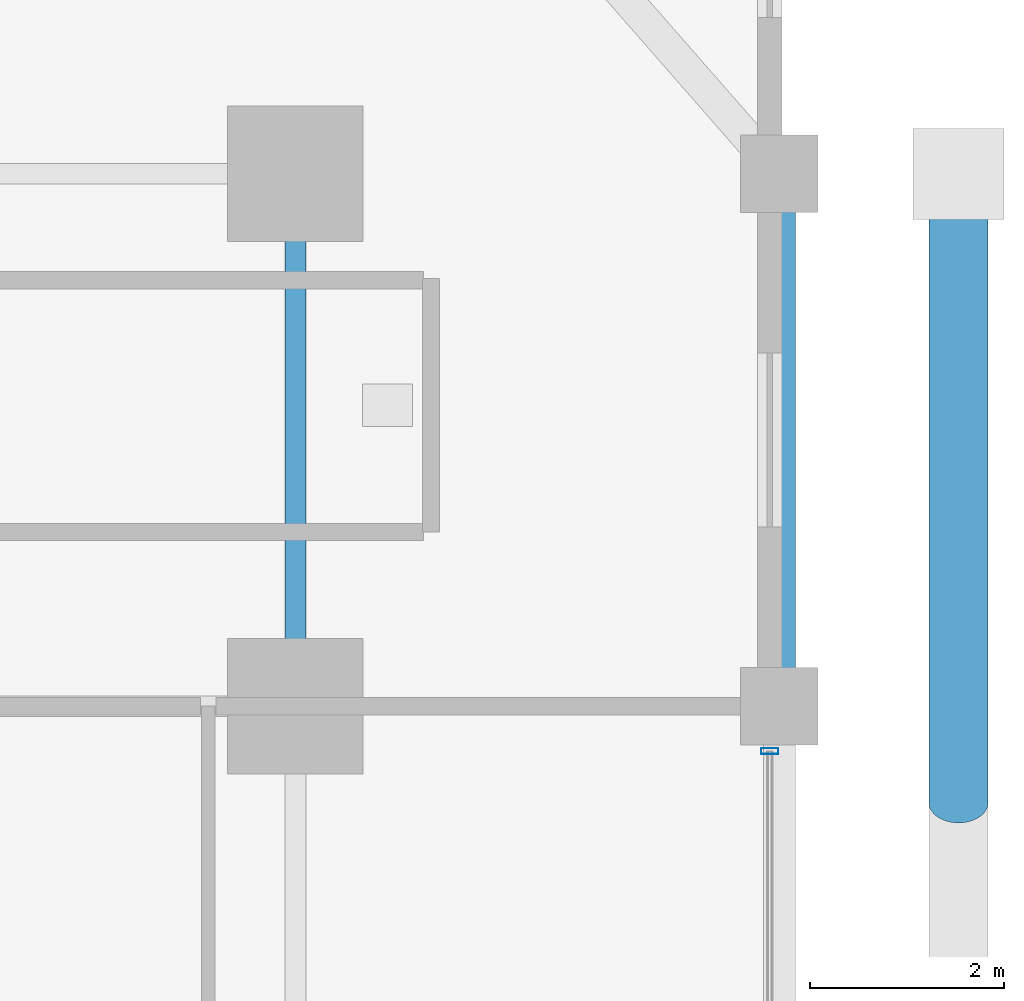
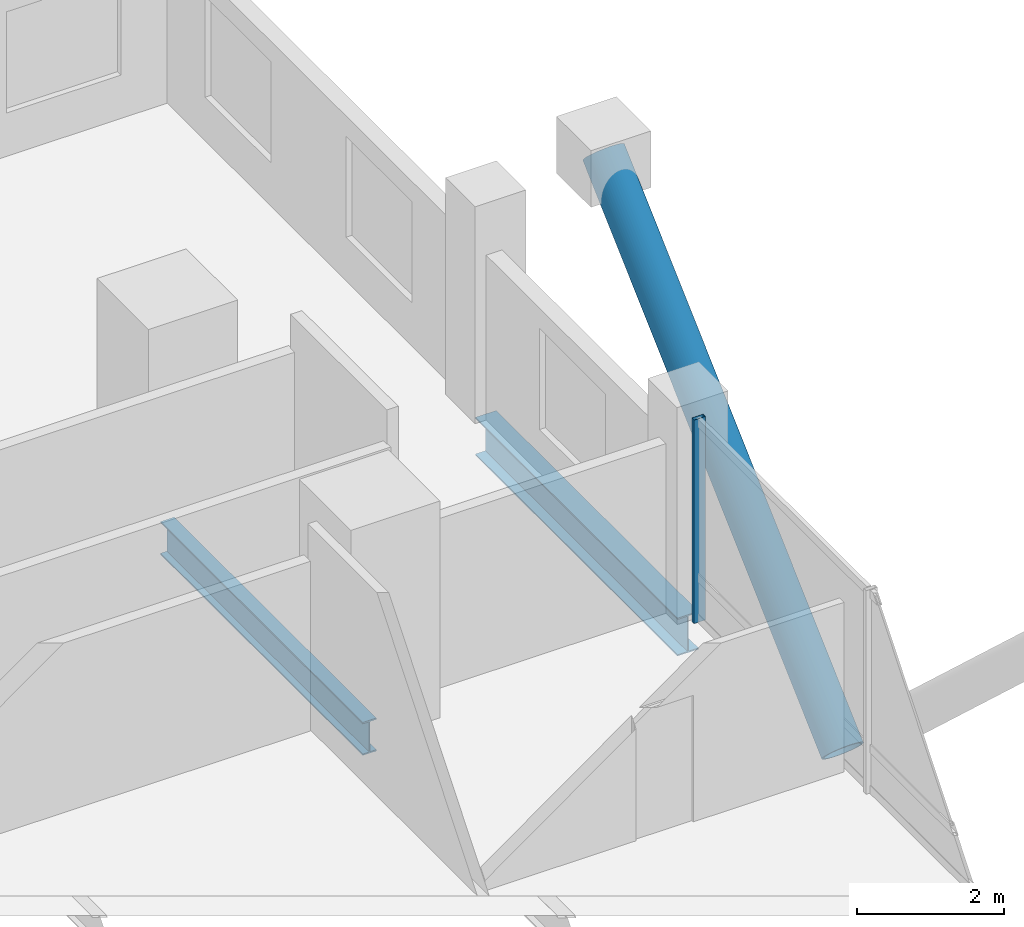
# One storey, part 15 of 23: 2 beams, 2 members, 1 element without a shape of its own.
"""IFC4 building model written with IfcOpenShell, lengths in metres."""

from ifc_helpers import new_model, si_unit, direction, frame, origin, origin_2d, place, context, subcontext, project, spatial, hollow_rectangle, hollow_circle, i_section, extrude, material, layer, layer_set, material_profile, profile_set, type_object, element, aggregate, save


model = new_model("IFC4")

# Units and contexts
model_context = context("Model", 3, precision=1e-05, world=origin(), true_north=direction((0.0, 1.0)))
body_context = subcontext(model_context, "Body", "Model", "MODEL_VIEW")
ifc_project = project(units=[si_unit("LENGTHUNIT", "METRE"), si_unit("AREAUNIT", "SQUARE_METRE"), si_unit("VOLUMEUNIT", "CUBIC_METRE"), si_unit("PLANEANGLEUNIT", "RADIAN"), si_unit("MASSUNIT", "GRAM", prefix="KILO")], contexts=[model_context])

# Site, building, storey
site_placement = place(None, origin())
site = spatial("IfcSite", under=ifc_project, at=site_placement, CompositionType="ELEMENT")
building_placement = place(site_placement, origin())
building = spatial("IfcBuilding", under=site, at=building_placement, Name="Barlavira Tower and Art Museum", CompositionType="ELEMENT")
storey_placement = place(building_placement, frame((0.0, 0.0, 36.0)))
storey = spatial("IfcBuildingStorey", under=building, at=storey_placement, Name="L07", CompositionType="ELEMENT", Elevation=36.0)

# Curtain wall, member
ifc_material_1 = material(Name="Low-iron coastal laminated glass", Category="glass")
ifc_layer = layer(ifc_material_1, 0.179931640625, Name="Low-iron coastal laminated glass")
ifc_layer_set = layer_set([ifc_layer], Name="Low-iron coastal laminated glass")
curtain_wall_type = type_object("IfcCurtainWallType", Name="Pale-Metal Unitised Curtain Wall Zone 1", PredefinedType="NOTDEFINED", material=ifc_layer_set)
curtain_wall_placement = place(storey_placement, origin())
curtain_wall = element("IfcCurtainWall", 1, at=curtain_wall_placement, inside=storey, type_object=curtain_wall_type, Name="L07 Curtain Wall CW1-L07-E-B3", PredefinedType="NOTDEFINED")
ifc_material_2 = material(Name="Pale anodised aluminium", Category="aluminium")
ifc_material_profile_1 = material_profile(ifc_material_2, hollow_rectangle(XDim=0.06494140625, YDim=0.179931640625, WallThickness=0.00390625, at=origin_2d()), Name="ALU-MULL 65x180x4")
ifc_profile_set_1 = profile_set([ifc_material_profile_1], Name="Pale anodised aluminium")
member_type_1 = type_object("IfcMemberType", Name="Curtain Wall Pale-Metal Mullion 65x180", PredefinedType="MULLION", material=ifc_profile_set_1)
member_1_placement = place(storey_placement, frame((21.89990234375, 7.034912109375, 0.0), z_axis=(0.0, 0.0, 1.0), x_axis=(0.0, 1.0, 0.0)))
member_1 = element("IfcMember", 2, at=member_1_placement, type_object=member_type_1, Name="CW1-L07-E-B3 Mullion 3", PredefinedType="MULLION", context=body_context, shape_type="SweptSolid", body=[
    extrude(hollow_rectangle(XDim=0.06494140625, YDim=0.179931640625, WallThickness=0.00390625, at=origin_2d()), origin(), (0.0, 0.0, 1.0), 3.3798828125),
])
aggregate(curtain_wall, [member_1])

# Member
ifc_material_3 = material(Name="Steel S355", Category="steel")
ifc_material_profile_2 = material_profile(ifc_material_3, hollow_circle(Radius=0.304931640625, WallThickness=0.028076171875, at=origin_2d()), Name="CHS 610.0x28.0")
ifc_profile_set_2 = profile_set([ifc_material_profile_2], Name="Steel S355")
member_type_2 = type_object("IfcMemberType", Name="Pale-Metal Exoskeleton Diagrid Tube CHS 610x28 Steel S355", PredefinedType="BRACE", material=ifc_profile_set_2)
member_2_placement = place(storey_placement, frame((23.85009765625, 6.5, -2.52001953125), z_axis=(0.0, 0.734803444627, 0.678280102733), x_axis=(-1.0, 0.0, 0.0)))
element("IfcMember", 3, at=member_2_placement, inside=storey, type_object=member_type_2, Name="L07 Exoskeleton Diagrid Tube E", PredefinedType="BRACE", context=body_context, shape_type="SweptSolid", body=[
    extrude(hollow_circle(Radius=0.304931640625, WallThickness=0.028076171875, at=origin_2d()), origin(), (0.0, 0.0, 1.0), 8.845947265625),
])

# Beams
ifc_material_profile_3 = material_profile(ifc_material_3, i_section(OverallWidth=0.327880859375, OverallDepth=0.62890625, WebThickness=0.013916015625, FlangeThickness=0.021484375, at=origin_2d()), Name="W610x174.0")
ifc_profile_set_3 = profile_set([ifc_material_profile_3], Name="Steel S355")
beam_type_1 = type_object("IfcBeamType", Name="Perimeter Spandrel Edge Beam W610x174 Steel S355", PredefinedType="SPANDREL", material=ifc_profile_set_3)
beam_1_placement = place(storey_placement, frame((22.0, 7.5, -0.534423828125), z_axis=(0.0, 1.0, 0.0), x_axis=(-1.0, 0.0, 0.0)))
element("IfcBeam", 4, at=beam_1_placement, inside=storey, type_object=beam_type_1, Name="L07 Spandrel 7", PredefinedType="SPANDREL", context=body_context, shape_type="SweptSolid", body=[
    extrude(i_section(OverallWidth=0.327880859375, OverallDepth=0.62890625, WebThickness=0.013916015625, FlangeThickness=0.021484375, at=origin_2d()), origin(), (0.0, 0.0, 1.0), 5.5),
])
ifc_material_profile_4 = material_profile(ifc_material_3, i_section(OverallWidth=0.214111328125, OverallDepth=0.549072265625, WebThickness=0.0146484375, FlangeThickness=0.023681640625, at=origin_2d()), Name="W530x138.0")
ifc_profile_set_4 = profile_set([ifc_material_profile_4], Name="Steel S355")
beam_type_2 = type_object("IfcBeamType", Name="Zone 1 Primary Floor Girder W530x138 Steel S355", PredefinedType="BEAM", material=ifc_profile_set_4)
beam_2_placement = place(storey_placement, frame((17.0, 7.5, -0.494384765625), z_axis=(0.0, 1.0, 0.0), x_axis=(-1.0, 0.0, 0.0)))
element("IfcBeam", 5, at=beam_2_placement, inside=storey, type_object=beam_type_2, Name="L07 Girder M-E3", PredefinedType="BEAM", context=body_context, shape_type="SweptSolid", body=[
    extrude(i_section(OverallWidth=0.214111328125, OverallDepth=0.549072265625, WebThickness=0.0146484375, FlangeThickness=0.023681640625, at=origin_2d()), origin(), (0.0, 0.0, 1.0), 5.5),
])

save(model, "model.ifc")
